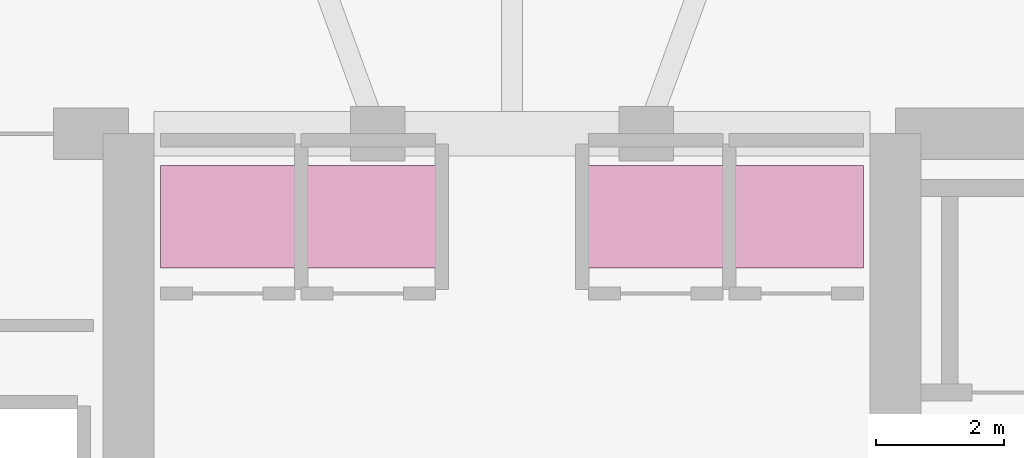
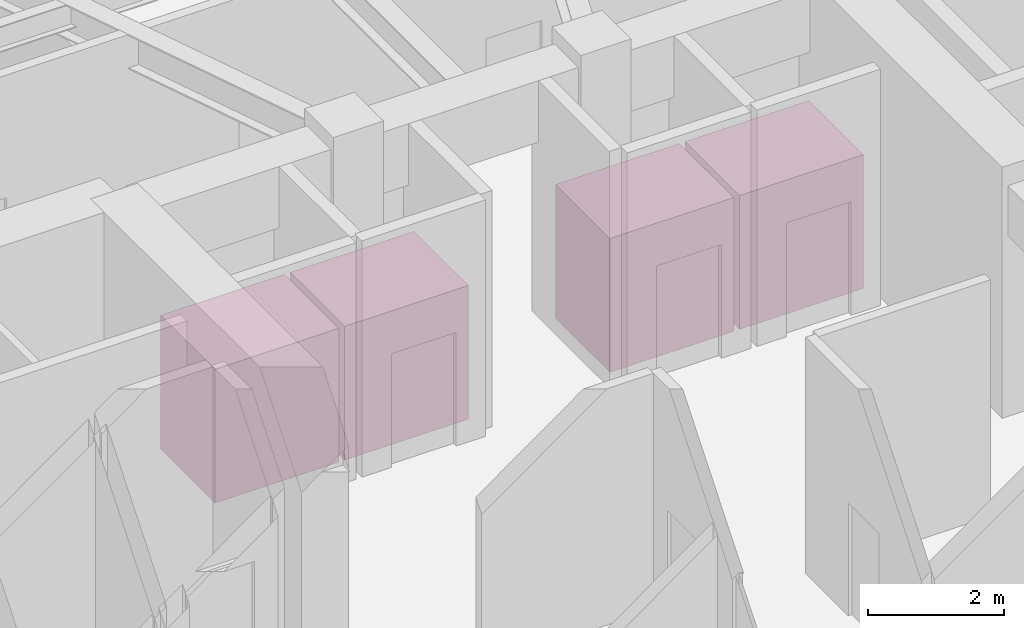
# One storey, part 23 of 23: 4 transport elements.
"""IFC4 building model written with IfcOpenShell, lengths in metres."""

from ifc_helpers import new_model, si_unit, direction, frame, origin, origin_2d, place, context, subcontext, project, spatial, rectangle, extrude, material, type_object, element, save


model = new_model("IFC4")

# Units and contexts
model_context = context("Model", 3, precision=1e-05, world=origin(), true_north=direction((0.0, 1.0)))
body_context = subcontext(model_context, "Body", "Model", "MODEL_VIEW")
ifc_project = project(units=[si_unit("LENGTHUNIT", "METRE"), si_unit("AREAUNIT", "SQUARE_METRE"), si_unit("VOLUMEUNIT", "CUBIC_METRE"), si_unit("PLANEANGLEUNIT", "RADIAN"), si_unit("MASSUNIT", "GRAM", prefix="KILO")], contexts=[model_context])

# Site, building, storey
site_placement = place(None, origin())
site = spatial("IfcSite", under=ifc_project, at=site_placement, CompositionType="ELEMENT")
building_placement = place(site_placement, origin())
building = spatial("IfcBuilding", under=site, at=building_placement, Name="Kiyonajd Concourse Tower", CompositionType="ELEMENT")
storey_placement = place(building_placement, frame((0.0, 0.0, 120.89990234375)))
storey = spatial("IfcBuildingStorey", under=building, at=storey_placement, Name="L31", CompositionType="ELEMENT", Elevation=120.89990234375)

# Transport elements
ifc_material = material(Name="Brushed Stainless Steel Cab Assembly", Category="steel")
transport_element_type = type_object("IfcTransportElementType", Name="EL-PAX-2100", PredefinedType="ELEVATOR", material=ifc_material)
for number, where, z_axis, x_axis, name in (
    (1, (43.550048828125, 42.699951171875, 0.000244140625), (0.0, 0.0, 1.0), (1.0, 0.0, 0.0), "Mid-Rise Passenger Lift PL-M1"),
    (2, (45.75, 42.699951171875, 0.000244140625), (0.0, 0.0, 1.0), (1.0, 0.0, 0.0), "Mid-Rise Passenger Lift PL-M2"),
    (3, (50.25, 42.699951171875, 0.000244140625), (0.0, 0.0, 1.0), (1.0, 0.0, 0.0), "Mid-Rise Passenger Lift PL-M3"),
    (4, (52.449951171875, 42.699951171875, 0.000244140625), (0.0, 0.0, 1.0), (1.0, 0.0, 0.0), "Mid-Rise Passenger Lift PL-M4"),
):
    element("IfcTransportElement", number, at=place(storey_placement, frame(where, z_axis=z_axis, x_axis=x_axis)), inside=storey, type_object=transport_element_type, Name=name, PredefinedType="ELEVATOR", context=body_context, shape_type="SweptSolid", body=[
        extrude(rectangle(XDim=2.10009765625, YDim=1.60009765625, at=origin_2d()), origin(), (0.0, 0.0, 1.0), 2.39990234375),
    ])

save(model, "model.ifc")
